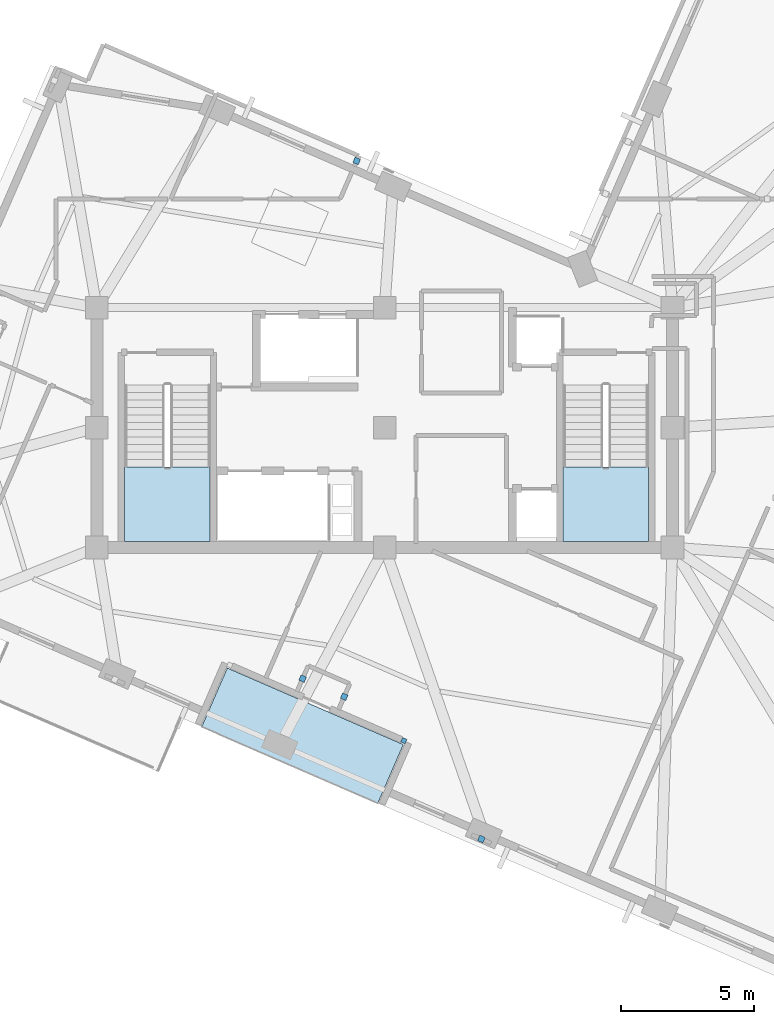
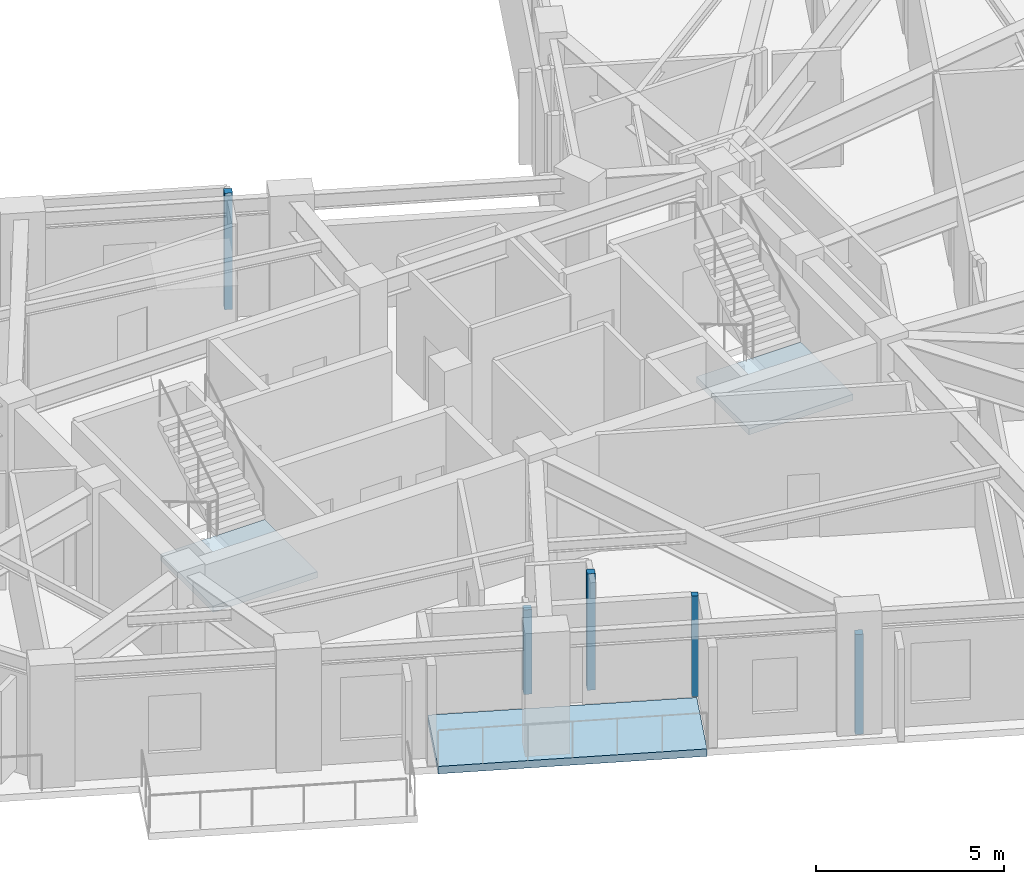
# One storey, part 3 of 12: 5 plates, 3 slabs, 2 elements without a shape of their own.
"""IFC4 building model written with IfcOpenShell, lengths in metres."""

import ifcopenshell
import ifcopenshell.guid

model = None  # the IFC model being written
_history = None  # IfcOwnerHistory: only IFC2X3 demands one
_inside = {}  # id of a spatial element -> (the spatial element, [elements in it])
_under = {}  # id of a project, library or spatial element -> (it, [spatial elements below it])
_declared = {}  # id of a project -> (the project, [libraries it declares])
_typed = {}  # id of a type object -> (the type object, [elements of that type])
_made_of = {}  # id of a material, layer set ... -> (it, [elements and type objects made of it])


def new_model(schema):
    """Start an empty IFC model of exactly this schema.

    Asked for "IFC4X3", IfcOpenShell would pick the latest addendum, in which some entities
    have other attributes; the version numbers below select the first issue.
    IFC2X3 requires an IfcOwnerHistory on every rooted entity: one is made here for all.
    """
    global model, _history
    if schema == "IFC4X3":
        model = ifcopenshell.file(schema_version=(4, 3, 0, 0))
    else:
        model = ifcopenshell.file(schema=schema)
    _inside.clear()
    _under.clear()
    _declared.clear()
    _typed.clear()
    _made_of.clear()
    _history = None
    if model.schema == "IFC2X3":
        org = make("IfcOrganization", Name="unknown")
        user = make(
            "IfcPersonAndOrganization",
            ThePerson=make("IfcPerson", FamilyName="unknown"),
            TheOrganization=org,
        )
        app = make(
            "IfcApplication",
            ApplicationDeveloper=org,
            Version="unknown",
            ApplicationFullName="unknown",
            ApplicationIdentifier="unknown",
        )
        _history = make(
            "IfcOwnerHistory",
            OwningUser=user,
            OwningApplication=app,
            ChangeAction="ADDED",
            CreationDate=0,
        )
    return model


def make(cls, **values):
    """One entity of the class cls with the attributes given. An attribute that is None is left unset."""
    return model.create_entity(
        cls, **{name: value for name, value in values.items() if value is not None}
    )


def rooted(cls, **values):
    """An entity with a GlobalId (a new one), such as an element, a storey or a relation."""
    return make(cls, GlobalId=ifcopenshell.guid.new(), OwnerHistory=_history, **values)


def si_unit(unit_type, name, prefix=None):
    """IfcSIUnit, for example si_unit("LENGTHUNIT", "METRE", prefix="MILLI")."""
    return make("IfcSIUnit", UnitType=unit_type, Prefix=prefix, Name=name)


def assignment(units):
    """IfcUnitAssignment: the units of a project."""
    return None if units is None else make("IfcUnitAssignment", Units=units)


def point(xyz):
    """IfcCartesianPoint."""
    return None if xyz is None else make("IfcCartesianPoint", Coordinates=xyz)


def direction(xyz):
    """IfcDirection."""
    return None if xyz is None else make("IfcDirection", DirectionRatios=xyz)


def frame(location, z_axis=None, x_axis=None):
    """IfcAxis2Placement3D, a coordinate frame: its origin and axes. An axis left out is left unset."""
    return make(
        "IfcAxis2Placement3D",
        Location=point(location),
        Axis=direction(z_axis),
        RefDirection=direction(x_axis),
    )


def frame_2d(location, x_axis=None):
    """IfcAxis2Placement2D, a coordinate frame in the plane: its origin and x axis."""
    return make(
        "IfcAxis2Placement2D", Location=point(location), RefDirection=direction(x_axis)
    )


def origin():
    """The frame at (0, 0, 0) with its axes left unset."""
    return frame((0.0, 0.0, 0.0))


def origin_2d():
    """The frame at (0, 0) in the plane with its x axis left unset."""
    return frame_2d((0.0, 0.0))


def place(relative_to, where):
    """IfcLocalPlacement: puts the frame where relative to a parent placement (None: the world)."""
    return make(
        "IfcLocalPlacement", PlacementRelTo=relative_to, RelativePlacement=where
    )


def context(
    kind, dimensions, precision=None, world=None, true_north=None, identifier=None
):
    """IfcGeometricRepresentationContext, for example the 3D "Model" context."""
    return make(
        "IfcGeometricRepresentationContext",
        ContextIdentifier=identifier,
        ContextType=kind,
        CoordinateSpaceDimension=dimensions,
        Precision=precision,
        WorldCoordinateSystem=world,
        TrueNorth=true_north,
    )


def subcontext(parent, identifier, kind, view, scale=None):
    """IfcGeometricRepresentationSubContext, for example "Body" below "Model"."""
    return make(
        "IfcGeometricRepresentationSubContext",
        ContextIdentifier=identifier,
        ContextType=kind,
        ParentContext=parent,
        TargetScale=scale,
        TargetView=view,
    )


def project(units=None, contexts=None):
    """IfcProject with its units and contexts."""
    return rooted(
        "IfcProject",
        Name="project",
        RepresentationContexts=contexts,
        UnitsInContext=assignment(units),
    )


def spatial(cls, under=None, at=None, **own):
    """A site, building, storey or space (cls), placed at a placement, below another one or the project."""
    s = rooted(cls, ObjectPlacement=at, **own)
    if under is not None:
        _under.setdefault(under.id(), (under, []))[1].append(s)
    return s


def polyline(points):
    """IfcPolyline through the points."""
    return make("IfcPolyline", Points=[point(p) for p in points])


def profile(cls, at=None, kind="AREA", **sizes):
    """A parametric profile (cls). Its sizes go by their IFC names, for example OverallWidth=200.0."""
    return make(cls, ProfileType=kind, Position=at, **sizes)


def rectangle(**sizes):
    """IfcRectangleProfileDef."""
    return profile("IfcRectangleProfileDef", **sizes)


def outline(outer, holes=None, kind="AREA"):
    """IfcArbitraryClosedProfileDef: a profile drawn as a closed curve; with holes, ...WithVoids."""
    if holes is None:
        return make("IfcArbitraryClosedProfileDef", ProfileType=kind, OuterCurve=outer)
    return make(
        "IfcArbitraryProfileDefWithVoids",
        ProfileType=kind,
        OuterCurve=outer,
        InnerCurves=holes,
    )


def extrude(swept, where, along, depth):
    """IfcExtrudedAreaSolid: the profile swept, set in the frame where, extruded along a direction by depth."""
    return make(
        "IfcExtrudedAreaSolid",
        SweptArea=swept,
        Position=where,
        ExtrudedDirection=direction(along),
        Depth=depth,
    )


def shape(context_of_items, identifier, shape_type, items):
    """IfcShapeRepresentation: the items that make up one representation, for example the "Body"."""
    return make(
        "IfcShapeRepresentation",
        ContextOfItems=context_of_items,
        RepresentationIdentifier=identifier,
        RepresentationType=shape_type,
        Items=items,
    )


def material(Name=None, Category=None):
    """IfcMaterial."""
    return make("IfcMaterial", Name=Name, Category=Category)


def layer(
    of_material, thickness, ventilated=None, Name=None, Category=None, Priority=None
):
    """IfcMaterialLayer: one layer of a wall or slab, of a material (None: an air gap)."""
    return make(
        "IfcMaterialLayer",
        Material=of_material,
        LayerThickness=thickness,
        IsVentilated=ventilated,
        Name=Name,
        Category=Category,
        Priority=Priority,
    )


def layer_set(layers, Name=None):
    """IfcMaterialLayerSet."""
    return make("IfcMaterialLayerSet", MaterialLayers=layers, LayerSetName=Name)


def made_of(thing, what):
    """Note that an element or type object is made of a material, layer set ...; save() writes the relation."""
    if what is not None:
        _made_of.setdefault(what.id(), (what, []))[1].append(thing)
    return thing


def type_object(cls, material=None, **own):
    """A type object (cls), such as IfcWallType, which elements share."""
    return made_of(rooted(cls, **own), material)


def element(
    cls,
    number,
    at=None,
    inside=None,
    cuts=None,
    type_object=None,
    material=None,
    context=None,
    identifier="Body",
    shape_type=None,
    held_by="IfcProductDefinitionShape",
    body=None,
    shapes=None,
    **own,
):
    """One element of the class cls, such as IfcWall. Its Tag is "e" and its number.

    at: its placement. inside: the storey or other place that contains it. cuts: it is an
    opening in that element (IfcRelVoidsElement). A single representation is given by context,
    identifier, shape_type and body (its items); several are given by shapes. held_by: the class
    of the entity that holds the representations. save() writes the other relations.
    """
    e = rooted(cls, Tag="e%d" % number, ObjectPlacement=at, **own)
    if body is not None:
        shapes = [shape(context, identifier, shape_type, body)]
    if shapes is not None:
        e.Representation = make(held_by, Representations=shapes)
    if inside is not None:
        _inside.setdefault(inside.id(), (inside, []))[1].append(e)
    if cuts is not None:
        rooted(
            "IfcRelVoidsElement", RelatingBuildingElement=cuts, RelatedOpeningElement=e
        )
    if type_object is not None:
        _typed.setdefault(type_object.id(), (type_object, []))[1].append(e)
    return made_of(e, material)


def aggregate(whole, parts):
    """IfcRelAggregates: a whole, such as a stair, and the parts it consists of."""
    return rooted("IfcRelAggregates", RelatingObject=whole, RelatedObjects=parts)


def save(model, path):
    """Write the relations noted so far, then the file.

    IfcRelAggregates (storeys below a building ...), IfcRelContainedInSpatialStructure (elements
    in a storey), IfcRelDefinesByType, IfcRelAssociatesMaterial and IfcRelDeclares: one each for
    every whole, place, type object, material and project.
    """
    for whole, parts in _under.values():
        aggregate(whole, parts)
    for where, things in _inside.values():
        rooted(
            "IfcRelContainedInSpatialStructure",
            RelatedElements=things,
            RelatingStructure=where,
        )
    for kind, things in _typed.values():
        rooted("IfcRelDefinesByType", RelatedObjects=things, RelatingType=kind)
    for what, things in _made_of.values():
        rooted("IfcRelAssociatesMaterial", RelatedObjects=things, RelatingMaterial=what)
    for by, libraries in _declared.values():
        rooted("IfcRelDeclares", RelatingContext=by, RelatedDefinitions=libraries)
    model.write(path)


model = new_model("IFC4")

# Units and contexts
model_context = context("Model", 3, precision=1e-05, world=origin(), true_north=direction((0.0, 1.0)))
body_context = subcontext(model_context, "Body", "Model", "MODEL_VIEW")
ifc_project = project(units=[si_unit("LENGTHUNIT", "METRE"), si_unit("AREAUNIT", "SQUARE_METRE"), si_unit("VOLUMEUNIT", "CUBIC_METRE"), si_unit("PLANEANGLEUNIT", "RADIAN"), si_unit("MASSUNIT", "GRAM", prefix="KILO")], contexts=[model_context])

# Site, building, storey
site_placement = place(None, origin())
site = spatial("IfcSite", under=ifc_project, at=site_placement, CompositionType="ELEMENT")
building_placement = place(site_placement, origin())
building = spatial("IfcBuilding", under=site, at=building_placement, Name="Gaonmaruhae Medical Tower", CompositionType="ELEMENT")
storey_placement = place(building_placement, frame((0.0, 0.0, 308.60009765625)))
storey = spatial("IfcBuildingStorey", under=building, at=storey_placement, Name="L74", CompositionType="ELEMENT", Elevation=308.60009765625)

# Plates
ifc_material_1 = material(Name="Anodised aluminium 6063-T6", Category="aluminium")
ifc_layer_1 = layer(ifc_material_1, 0.011962890625)
ifc_layer_set_1 = layer_set([ifc_layer_1], Name="Anodised aluminium 6063-T6")
plate_type = type_object("IfcPlateType", Name="PP-01 Interior Partition Corner Stiffener Plate", PredefinedType="SHEET", material=ifc_layer_set_1)
plate_1_placement = place(storey_placement, frame((25.5205078125, 0.550537109375, 0.0), z_axis=(0.0, 0.0, 1.0), x_axis=(-0.917060074385, 0.398749068925, 0.0)))
element("IfcPlate", 1, at=plate_1_placement, inside=storey, type_object=plate_type, Name="L74 Partition End Jamb Post Plate PLT-L74-ENDP-TERB-0", PredefinedType="SHEET", context=body_context, shape_type="SweptSolid", body=[
    extrude(rectangle(XDim=0.179931640625, YDim=0.179931640625, at=origin_2d()), origin(), (0.0, 0.0, 1.0), 3.264892578125),
])
plate_2_placement = place(storey_placement, frame((28.431396484375, -3.136474609375, -0.000244140625), z_axis=(0.0, 0.0, 1.0), x_axis=(-0.917053114761, 0.398765074582, 0.0)))
element("IfcPlate", 2, at=plate_2_placement, inside=storey, type_object=plate_type, Name="L74 Partition Corner Stiffener Plate PLT-L74-JGP-PW031", PredefinedType="SHEET", context=body_context, shape_type="SweptSolid", body=[
    extrude(rectangle(XDim=0.219970703125, YDim=0.219970703125, at=origin_2d()), origin(), (0.0, 0.0, 1.0), 3.2451171875),
])
plate_3_placement = place(storey_placement, frame((23.283447265625, 2.201904296875, 0.0), z_axis=(0.0, 0.0, 1.0), x_axis=(0.398829095996, 0.917025273473, 0.0)))
element("IfcPlate", 3, at=plate_3_placement, inside=storey, type_object=plate_type, Name="L74 Partition Corner Stiffener Plate PLT-L74-JGP-PW032", PredefinedType="SHEET", context=body_context, shape_type="SweptSolid", body=[
    extrude(rectangle(XDim=0.219970703125, YDim=0.219970703125, at=origin_2d()), origin(), (0.0, 0.0, 1.0), 3.780029296875),
])
plate_4_placement = place(storey_placement, frame((21.724609375, 2.8798828125, -0.000244140625), z_axis=(0.0, 0.0, 1.0), x_axis=(-0.398829095996, -0.917025273473, 0.0)))
element("IfcPlate", 4, at=plate_4_placement, inside=storey, type_object=plate_type, Name="L74 Partition Corner Stiffener Plate PLT-L74-JGP-PW034", PredefinedType="SHEET", context=body_context, shape_type="SweptSolid", body=[
    extrude(rectangle(XDim=0.219970703125, YDim=0.219970703125, at=origin_2d()), origin(), (0.0, 0.0, 1.0), 2.7451171875),
])
plate_5_placement = place(storey_placement, frame((23.751953125, 22.302490234375, 0.0), z_axis=(0.0, 0.0, 1.0), x_axis=(-0.399741189774, -0.916628049537, 0.0)))
element("IfcPlate", 5, at=plate_5_placement, inside=storey, type_object=plate_type, Name="L74 Partition Corner Stiffener Plate PLT-L74-JGP-PW075", PredefinedType="SHEET", context=body_context, shape_type="SweptSolid", body=[
    extrude(rectangle(XDim=0.219970703125, YDim=0.219970703125, at=origin_2d()), origin(), (0.0, 0.0, 1.0), 3.780029296875),
])

# Stair, slab
ifc_material_2 = material(Name="Concrete C40/50", Category="concrete")
stair_type = type_object("IfcStairType", Name="ST-T1 Primary Core Escape Dogleg Stair", PredefinedType="TWO_QUARTER_TURN_STAIR", material=ifc_material_2)
stair_1_placement = place(storey_placement, origin())
stair_1 = element("IfcStair", 6, at=stair_1_placement, inside=storey, type_object=stair_type, Name="L74 Protected Escape Stair ST-01", PredefinedType="TWO_QUARTER_TURN_STAIR")
ifc_layer_2 = layer(ifc_material_2, 0.199951171875)
ifc_layer_set_2 = layer_set([ifc_layer_2], Name="Concrete C40/50")
slab_type_1 = type_object("IfcSlabType", Name="SL-200 Stair & Ramp Intermediate Concrete Landing", PredefinedType="LANDING", material=ifc_layer_set_2)
slab_1_placement = place(storey_placement, frame((0.0, 0.0, 1.7998046875)))
slab_1 = element("IfcSlab", 7, at=slab_1_placement, type_object=slab_type_1, Name="ST-01 landing 1", PredefinedType="LANDING", context=body_context, shape_type="SweptSolid", body=[
    extrude(outline(polyline([(15.050048828125, 10.820068359375), (15.050048828125, 8.029052734375), (18.25, 8.029052734375), (18.25, 10.820068359375), (15.050048828125, 10.820068359375)])), origin(), (0.0, 0.0, 1.0), 0.2001953125),
])
aggregate(stair_1, [slab_1])

stair_2_placement = place(storey_placement, origin())
stair_2 = element("IfcStair", 8, at=stair_2_placement, inside=storey, type_object=stair_type, Name="L74 Protected Escape Stair ST-02", PredefinedType="TWO_QUARTER_TURN_STAIR")
slab_2_placement = place(storey_placement, frame((0.0, 0.0, 1.7998046875)))
slab_2 = element("IfcSlab", 9, at=slab_2_placement, type_object=slab_type_1, Name="ST-02 landing 1", PredefinedType="LANDING", context=body_context, shape_type="SweptSolid", body=[
    extrude(outline(polyline([(31.5, 10.820068359375), (31.5, 8.029052734375), (34.699951171875, 8.029052734375), (34.699951171875, 10.820068359375), (31.5, 10.820068359375)])), origin(), (0.0, 0.0, 1.0), 0.2001953125),
])
aggregate(stair_2, [slab_2])

# Slab
ifc_layer_3 = layer(ifc_material_2, 0.239990234375)
ifc_layer_set_3 = layer_set([ifc_layer_3], Name="Concrete C40/50")
slab_type_2 = type_object("IfcSlabType", Name="TS-240 Sky Garden & Recovery Terrace Slab", PredefinedType="FLOOR", material=ifc_layer_set_3)
slab_3_placement = place(storey_placement, frame((0.0, 0.0, -0.239990234375)))
element("IfcSlab", 10, at=slab_3_placement, inside=storey, type_object=slab_type_2, Name="L74 Outdoor Recovery Terrace Slab", PredefinedType="FLOOR", context=body_context, shape_type="SweptSolid", body=[
    extrude(outline(polyline([(24.544189453125, -1.794921875), (25.501220703125, 0.40625), (18.8984375, 3.277099609375), (17.94140625, 1.076171875), (24.544189453125, -1.794921875)])), origin(), (0.0, 0.0, 1.0), 0.239990234375),
])

save(model, "model.ifc")
